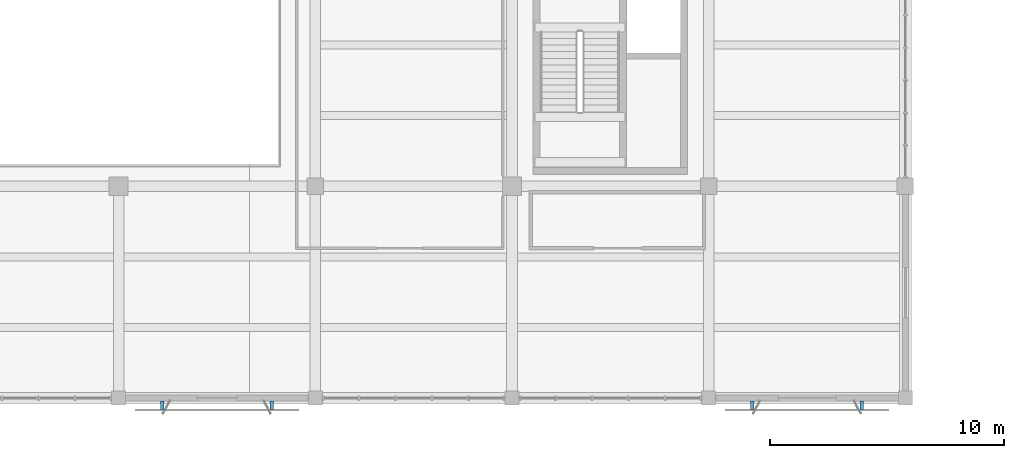
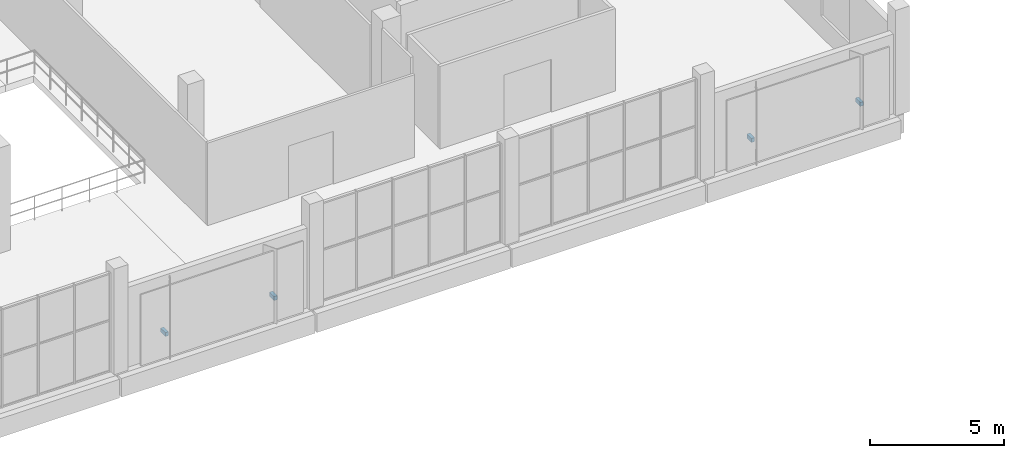
# One storey, part 66 of 80: 4 discrete accessories.
"""IFC4 building model written with IfcOpenShell, lengths in metres."""

from ifc_helpers import new_model, si_unit, direction, frame, origin, origin_2d, place, context, subcontext, project, spatial, rectangle, extrude, material, type_object, element, save


model = new_model("IFC4")

# Units and contexts
model_context = context("Model", 3, precision=1e-05, world=origin(), true_north=direction((0.0, 1.0)))
body_context = subcontext(model_context, "Body", "Model", "MODEL_VIEW")
ifc_project = project(units=[si_unit("LENGTHUNIT", "METRE"), si_unit("AREAUNIT", "SQUARE_METRE"), si_unit("VOLUMEUNIT", "CUBIC_METRE"), si_unit("PLANEANGLEUNIT", "RADIAN"), si_unit("MASSUNIT", "GRAM", prefix="KILO")], contexts=[model_context])

# Site, building, storey
site_placement = place(None, origin())
site = spatial("IfcSite", under=ifc_project, at=site_placement, CompositionType="ELEMENT")
building_placement = place(site_placement, origin())
building = spatial("IfcBuilding", under=site, at=building_placement, Name="Khurvash Pelagic Aquarium", CompositionType="ELEMENT")
storey_placement = place(building_placement, frame((0.0, 0.0, 10.800048828125)))
storey = spatial("IfcBuildingStorey", under=building, at=storey_placement, Name="L02", CompositionType="ELEMENT", Elevation=10.800048828125)

# Discrete accessories
ifc_material = material(Name="Hot-dip galvanised steel S355J2", Category="steel")
discrete_accessory_type = type_object("IfcDiscreteAccessoryType", Name="BK-01", PredefinedType="BRACKET", material=ifc_material)
for number, where, z_axis, x_axis, name in (
    (1, (77.462890625, 2.294921875, 1.10986328125), (0.0, 0.0, 1.0), (1.0, 0.0, 0.0), "L02 Jali Screen Support Bracket BK-01 0029"),
    (2, (82.136962890625, 2.294921875, 1.10986328125), (0.0, 0.0, 1.0), (1.0, 0.0, 0.0), "L02 Jali Screen Support Bracket BK-01 0030"),
    (3, (102.6630859375, 2.294921875, 1.10986328125), (0.0, 0.0, 1.0), (1.0, 0.0, 0.0), "L02 Jali Screen Support Bracket BK-01 0031"),
    (4, (107.3369140625, 2.294921875, 1.10986328125), (0.0, 0.0, 1.0), (1.0, 0.0, 0.0), "L02 Jali Screen Support Bracket BK-01 0032"),
):
    element("IfcDiscreteAccessory", number, at=place(storey_placement, frame(where, z_axis=z_axis, x_axis=x_axis)), inside=storey, type_object=discrete_accessory_type, Name=name, PredefinedType="BRACKET", context=body_context, shape_type="SweptSolid", body=[
        extrude(rectangle(XDim=0.139892578125, YDim=0.35009765625, at=origin_2d()), origin(), (0.0, 0.0, 1.0), 0.179931640625),
    ])

save(model, "model.ifc")
